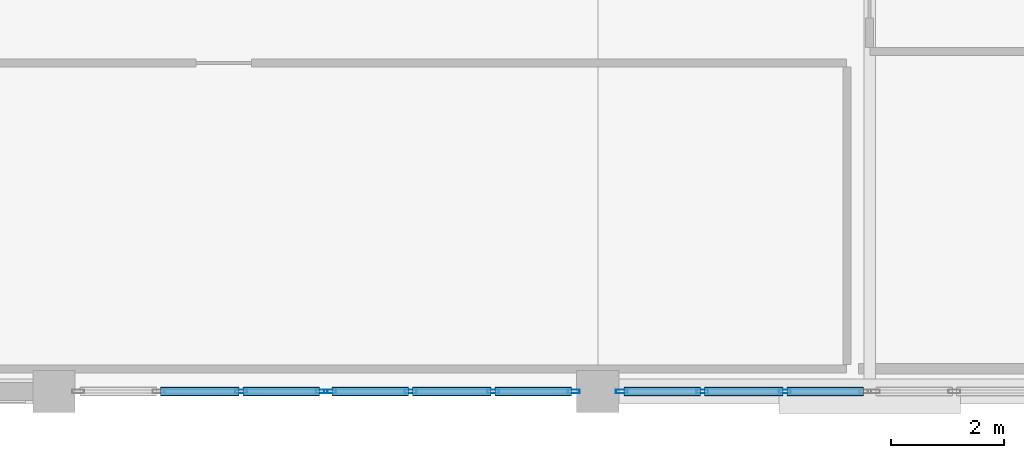
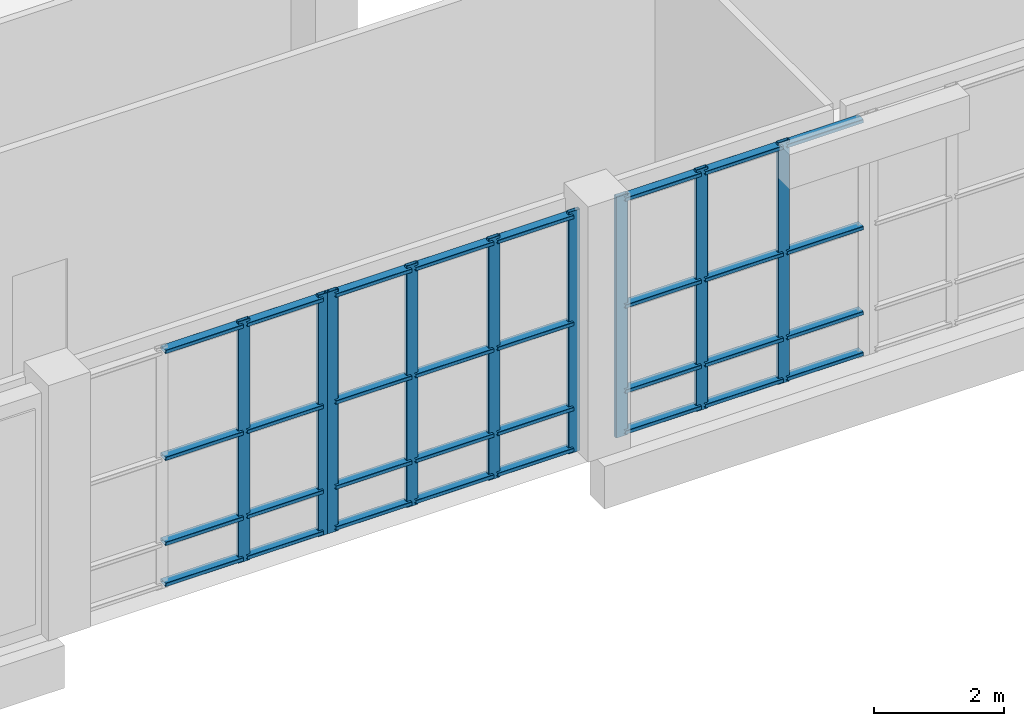
# One storey, part 21 of 106: 41 members, 3 elements without a shape of their own.
"""IFC4 building model written with IfcOpenShell, lengths in metres."""

from ifc_helpers import new_model, si_unit, direction, frame, origin, origin_2d, place, context, subcontext, project, spatial, hollow_rectangle, extrude, material, layer, layer_set, material_profile, profile_set, type_object, element, aggregate, save


model = new_model("IFC4")

# Units and contexts
model_context = context("Model", 3, precision=1e-05, world=origin(), true_north=direction((0.0, 1.0)))
body_context = subcontext(model_context, "Body", "Model", "MODEL_VIEW")
ifc_project = project(units=[si_unit("LENGTHUNIT", "METRE"), si_unit("AREAUNIT", "SQUARE_METRE"), si_unit("VOLUMEUNIT", "CUBIC_METRE"), si_unit("PLANEANGLEUNIT", "RADIAN"), si_unit("MASSUNIT", "GRAM", prefix="KILO")], contexts=[model_context])

# Site, building, storey
site_placement = place(None, origin())
site = spatial("IfcSite", under=ifc_project, at=site_placement, CompositionType="ELEMENT")
building_placement = place(site_placement, origin())
building = spatial("IfcBuilding", under=site, at=building_placement, Name="Kisaragi Civic Commons", CompositionType="ELEMENT")
storey_placement = place(building_placement, frame((0.0, 0.0, 4.800048828125)))
storey = spatial("IfcBuildingStorey", under=building, at=storey_placement, Name="L01", CompositionType="ELEMENT", Elevation=4.800048828125)

# Curtain wall, members
ifc_material = material(Name="Thermally broken anodized aluminium and low-E double glazing", Category="aluminium")
ifc_layer = layer(ifc_material, 0.2099609375, Name="Thermally broken anodized aluminium and low-E double glazing", Category="aluminium")
ifc_layer_set = layer_set([ifc_layer], Name="Thermally broken anodized aluminium and low-E double glazing")
curtain_wall_type = type_object("IfcCurtainWallType", Name="CW-02", PredefinedType="NOTDEFINED", material=ifc_layer_set)
curtain_wall_1_placement = place(storey_placement, origin())
curtain_wall_1 = element("IfcCurtainWall", 1, at=curtain_wall_1_placement, inside=storey, type_object=curtain_wall_type, Name="L01 curtain wall CW-02 CW-V3-L01-032", PredefinedType="NOTDEFINED")
ifc_material_profile_1 = material_profile(ifc_material, hollow_rectangle(XDim=0.070068359375, YDim=0.2099609375, WallThickness=0.0048828125, InnerFilletRadius=0.0048828125, OuterFilletRadius=0.010009765625, at=origin_2d()), Name="CWM-70x210x5", Category="aluminium")
ifc_profile_set_1 = profile_set([ifc_material_profile_1], Name="Thermally broken anodized aluminium and low-E double glazing")
member_type_1 = type_object("IfcMemberType", Name="CWM-03", PredefinedType="MULLION", material=ifc_profile_set_1)
member_1_placement = place(storey_placement, frame((126.9033203125, 0.0, 0.0), z_axis=(0.0, 0.0, 1.0), x_axis=(0.0, -1.0, 0.0)))
member_1 = element("IfcMember", 2, at=member_1_placement, type_object=member_type_1, Name="CW-02 mullion 2", PredefinedType="MULLION", context=body_context, shape_type="SweptSolid", body=[
    extrude(hollow_rectangle(XDim=0.070068359375, YDim=0.2099609375, WallThickness=0.0048828125, InnerFilletRadius=0.0048828125, OuterFilletRadius=0.010009765625, at=origin_2d()), origin(), (0.0, 0.0, 1.0), 4.5400390625),
])
member_2_placement = place(storey_placement, frame((125.44677734375, 0.0, 0.0), z_axis=(0.0, 0.0, 1.0), x_axis=(0.0, -1.0, 0.0)))
member_2 = element("IfcMember", 3, at=member_2_placement, type_object=member_type_1, Name="CW-02 mullion 3", PredefinedType="MULLION", context=body_context, shape_type="SweptSolid", body=[
    extrude(hollow_rectangle(XDim=0.070068359375, YDim=0.2099609375, WallThickness=0.0048828125, InnerFilletRadius=0.0048828125, OuterFilletRadius=0.010009765625, at=origin_2d()), origin(), (0.0, 0.0, 1.0), 4.5400390625),
])
member_3_placement = place(storey_placement, frame((124.02490234375, 0.0, 0.0), z_axis=(0.0, 0.0, 1.0), x_axis=(0.0, -1.0, 0.0)))
member_3 = element("IfcMember", 4, at=member_3_placement, type_object=member_type_1, Name="CW-02 mullion 4", PredefinedType="MULLION", context=body_context, shape_type="SweptSolid", body=[
    extrude(hollow_rectangle(XDim=0.070068359375, YDim=0.2099609375, WallThickness=0.0048828125, InnerFilletRadius=0.0048828125, OuterFilletRadius=0.010009765625, at=origin_2d()), origin(), (0.0, 0.0, 1.0), 4.5400390625),
])

curtain_wall_2_placement = place(storey_placement, origin())
curtain_wall_2 = element("IfcCurtainWall", 5, at=curtain_wall_2_placement, inside=storey, type_object=curtain_wall_type, Name="L01 curtain wall CW-02 CW-V3-L01-033", PredefinedType="NOTDEFINED")
member_4_placement = place(storey_placement, frame((123.175048828125, 0.0, 0.0), z_axis=(0.0, 0.0, 1.0), x_axis=(0.0, -1.0, 0.0)))
member_4 = element("IfcMember", 6, at=member_4_placement, type_object=member_type_1, Name="CW-02 mullion 1", PredefinedType="MULLION", context=body_context, shape_type="SweptSolid", body=[
    extrude(hollow_rectangle(XDim=0.070068359375, YDim=0.2099609375, WallThickness=0.0048828125, InnerFilletRadius=0.0048828125, OuterFilletRadius=0.010009765625, at=origin_2d()), origin(), (0.0, 0.0, 1.0), 4.5400390625),
])
member_5_placement = place(storey_placement, frame((121.75341796875, 0.0, 0.0), z_axis=(0.0, 0.0, 1.0), x_axis=(0.0, -1.0, 0.0)))
member_5 = element("IfcMember", 7, at=member_5_placement, type_object=member_type_1, Name="CW-02 mullion 2", PredefinedType="MULLION", context=body_context, shape_type="SweptSolid", body=[
    extrude(hollow_rectangle(XDim=0.070068359375, YDim=0.2099609375, WallThickness=0.0048828125, InnerFilletRadius=0.0048828125, OuterFilletRadius=0.010009765625, at=origin_2d()), origin(), (0.0, 0.0, 1.0), 4.5400390625),
])
member_6_placement = place(storey_placement, frame((120.296630859375, 0.0, 0.0), z_axis=(0.0, 0.0, 1.0), x_axis=(0.0, -1.0, 0.0)))
member_6 = element("IfcMember", 8, at=member_6_placement, type_object=member_type_1, Name="CW-02 mullion 3", PredefinedType="MULLION", context=body_context, shape_type="SweptSolid", body=[
    extrude(hollow_rectangle(XDim=0.070068359375, YDim=0.2099609375, WallThickness=0.0048828125, InnerFilletRadius=0.0048828125, OuterFilletRadius=0.010009765625, at=origin_2d()), origin(), (0.0, 0.0, 1.0), 4.5400390625),
])
member_7_placement = place(storey_placement, frame((118.875, 0.0, 0.0), z_axis=(0.0, 0.0, 1.0), x_axis=(0.0, -1.0, 0.0)))
member_7 = element("IfcMember", 9, at=member_7_placement, type_object=member_type_1, Name="CW-02 mullion 4", PredefinedType="MULLION", context=body_context, shape_type="SweptSolid", body=[
    extrude(hollow_rectangle(XDim=0.070068359375, YDim=0.2099609375, WallThickness=0.0048828125, InnerFilletRadius=0.0048828125, OuterFilletRadius=0.010009765625, at=origin_2d()), origin(), (0.0, 0.0, 1.0), 4.5400390625),
])

curtain_wall_3_placement = place(storey_placement, origin())
curtain_wall_3 = element("IfcCurtainWall", 10, at=curtain_wall_3_placement, inside=storey, type_object=curtain_wall_type, Name="L01 curtain wall CW-02 CW-V3-L01-034", PredefinedType="NOTDEFINED")
member_8_placement = place(storey_placement, frame((118.72509765625, 0.0, 0.0), z_axis=(0.0, 0.0, 1.0), x_axis=(0.0, -1.0, 0.0)))
member_8 = element("IfcMember", 11, at=member_8_placement, type_object=member_type_1, Name="CW-02 mullion 1", PredefinedType="MULLION", context=body_context, shape_type="SweptSolid", body=[
    extrude(hollow_rectangle(XDim=0.070068359375, YDim=0.2099609375, WallThickness=0.0048828125, InnerFilletRadius=0.0048828125, OuterFilletRadius=0.010009765625, at=origin_2d()), origin(), (0.0, 0.0, 1.0), 4.5400390625),
])
member_9_placement = place(storey_placement, frame((117.30322265625, 0.0, 0.0), z_axis=(0.0, 0.0, 1.0), x_axis=(0.0, -1.0, 0.0)))
member_9 = element("IfcMember", 12, at=member_9_placement, type_object=member_type_1, Name="CW-02 mullion 2", PredefinedType="MULLION", context=body_context, shape_type="SweptSolid", body=[
    extrude(hollow_rectangle(XDim=0.070068359375, YDim=0.2099609375, WallThickness=0.0048828125, InnerFilletRadius=0.0048828125, OuterFilletRadius=0.010009765625, at=origin_2d()), origin(), (0.0, 0.0, 1.0), 4.5400390625),
])

# Member
ifc_material_profile_2 = material_profile(ifc_material, hollow_rectangle(XDim=0.159912109375, YDim=0.070068359375, WallThickness=0.0048828125, InnerFilletRadius=0.0048828125, OuterFilletRadius=0.010009765625, at=origin_2d()), Name="CWT-70x160x5", Category="aluminium")
ifc_profile_set_2 = profile_set([ifc_material_profile_2], Name="Thermally broken anodized aluminium and low-E double glazing")
member_type_2 = type_object("IfcMemberType", Name="CWT-03", PredefinedType="USERDEFINED", material=ifc_profile_set_2)
member_10_placement = place(storey_placement, frame((128.2900390625, 0.0, 0.079833984375), z_axis=(-1.0, 0.0, 0.0), x_axis=(0.0, -1.0, 0.0)))
member_10 = element("IfcMember", 13, at=member_10_placement, type_object=member_type_2, Name="CW-02 transom 1.1", ObjectType="TRANSOM", PredefinedType="USERDEFINED", context=body_context, shape_type="SweptSolid", body=[
    extrude(hollow_rectangle(XDim=0.159912109375, YDim=0.070068359375, WallThickness=0.0048828125, InnerFilletRadius=0.0048828125, OuterFilletRadius=0.010009765625, at=origin_2d()), origin(), (0.0, 0.0, 1.0), 1.351806640625),
])

member_11_placement = place(storey_placement, frame((128.2900390625, 0.0, 0.849853515625), z_axis=(-1.0, 0.0, 0.0), x_axis=(0.0, -1.0, 0.0)))
member_11 = element("IfcMember", 14, at=member_11_placement, type_object=member_type_2, Name="CW-02 transom 1.2", ObjectType="TRANSOM", PredefinedType="USERDEFINED", context=body_context, shape_type="SweptSolid", body=[
    extrude(hollow_rectangle(XDim=0.159912109375, YDim=0.070068359375, WallThickness=0.0048828125, InnerFilletRadius=0.0048828125, OuterFilletRadius=0.010009765625, at=origin_2d()), origin(), (0.0, 0.0, 1.0), 1.351806640625),
])

member_12_placement = place(storey_placement, frame((128.2900390625, 0.0, 2.449951171875), z_axis=(-1.0, 0.0, 0.0), x_axis=(0.0, -1.0, 0.0)))
member_12 = element("IfcMember", 15, at=member_12_placement, type_object=member_type_2, Name="CW-02 transom 1.3", ObjectType="TRANSOM", PredefinedType="USERDEFINED", context=body_context, shape_type="SweptSolid", body=[
    extrude(hollow_rectangle(XDim=0.159912109375, YDim=0.070068359375, WallThickness=0.0048828125, InnerFilletRadius=0.0048828125, OuterFilletRadius=0.010009765625, at=origin_2d()), origin(), (0.0, 0.0, 1.0), 1.351806640625),
])

member_13_placement = place(storey_placement, frame((128.2900390625, 0.0, 4.4599609375), z_axis=(-1.0, 0.0, 0.0), x_axis=(0.0, -1.0, 0.0)))
member_13 = element("IfcMember", 16, at=member_13_placement, type_object=member_type_2, Name="CW-02 transom 1.4", ObjectType="TRANSOM", PredefinedType="USERDEFINED", context=body_context, shape_type="SweptSolid", body=[
    extrude(hollow_rectangle(XDim=0.159912109375, YDim=0.070068359375, WallThickness=0.0048828125, InnerFilletRadius=0.0048828125, OuterFilletRadius=0.010009765625, at=origin_2d()), origin(), (0.0, 0.0, 1.0), 1.351806640625),
])

member_14_placement = place(storey_placement, frame((126.868408203125, 0.0, 0.079833984375), z_axis=(-1.0, 0.0, 0.0), x_axis=(0.0, -1.0, 0.0)))
member_14 = element("IfcMember", 17, at=member_14_placement, type_object=member_type_2, Name="CW-02 transom 2.1", ObjectType="TRANSOM", PredefinedType="USERDEFINED", context=body_context, shape_type="SweptSolid", body=[
    extrude(hollow_rectangle(XDim=0.159912109375, YDim=0.070068359375, WallThickness=0.0048828125, InnerFilletRadius=0.0048828125, OuterFilletRadius=0.010009765625, at=origin_2d()), origin(), (0.0, 0.0, 1.0), 1.38671875),
])

member_15_placement = place(storey_placement, frame((126.868408203125, 0.0, 0.849853515625), z_axis=(-1.0, 0.0, 0.0), x_axis=(0.0, -1.0, 0.0)))
member_15 = element("IfcMember", 18, at=member_15_placement, type_object=member_type_2, Name="CW-02 transom 2.2", ObjectType="TRANSOM", PredefinedType="USERDEFINED", context=body_context, shape_type="SweptSolid", body=[
    extrude(hollow_rectangle(XDim=0.159912109375, YDim=0.070068359375, WallThickness=0.0048828125, InnerFilletRadius=0.0048828125, OuterFilletRadius=0.010009765625, at=origin_2d()), origin(), (0.0, 0.0, 1.0), 1.38671875),
])

member_16_placement = place(storey_placement, frame((126.868408203125, 0.0, 2.449951171875), z_axis=(-1.0, 0.0, 0.0), x_axis=(0.0, -1.0, 0.0)))
member_16 = element("IfcMember", 19, at=member_16_placement, type_object=member_type_2, Name="CW-02 transom 2.3", ObjectType="TRANSOM", PredefinedType="USERDEFINED", context=body_context, shape_type="SweptSolid", body=[
    extrude(hollow_rectangle(XDim=0.159912109375, YDim=0.070068359375, WallThickness=0.0048828125, InnerFilletRadius=0.0048828125, OuterFilletRadius=0.010009765625, at=origin_2d()), origin(), (0.0, 0.0, 1.0), 1.38671875),
])

member_17_placement = place(storey_placement, frame((126.868408203125, 0.0, 4.4599609375), z_axis=(-1.0, 0.0, 0.0), x_axis=(0.0, -1.0, 0.0)))
member_17 = element("IfcMember", 20, at=member_17_placement, type_object=member_type_2, Name="CW-02 transom 2.4", ObjectType="TRANSOM", PredefinedType="USERDEFINED", context=body_context, shape_type="SweptSolid", body=[
    extrude(hollow_rectangle(XDim=0.159912109375, YDim=0.070068359375, WallThickness=0.0048828125, InnerFilletRadius=0.0048828125, OuterFilletRadius=0.010009765625, at=origin_2d()), origin(), (0.0, 0.0, 1.0), 1.38671875),
])

member_18_placement = place(storey_placement, frame((125.41162109375, 0.0, 0.079833984375), z_axis=(-1.0, 0.0, 0.0), x_axis=(0.0, -1.0, 0.0)))
member_18 = element("IfcMember", 21, at=member_18_placement, type_object=member_type_2, Name="CW-02 transom 3.1", ObjectType="TRANSOM", PredefinedType="USERDEFINED", context=body_context, shape_type="SweptSolid", body=[
    extrude(hollow_rectangle(XDim=0.159912109375, YDim=0.070068359375, WallThickness=0.0048828125, InnerFilletRadius=0.0048828125, OuterFilletRadius=0.010009765625, at=origin_2d()), origin(), (0.0, 0.0, 1.0), 1.3515625),
])

member_19_placement = place(storey_placement, frame((125.41162109375, 0.0, 0.849853515625), z_axis=(-1.0, 0.0, 0.0), x_axis=(0.0, -1.0, 0.0)))
member_19 = element("IfcMember", 22, at=member_19_placement, type_object=member_type_2, Name="CW-02 transom 3.2", ObjectType="TRANSOM", PredefinedType="USERDEFINED", context=body_context, shape_type="SweptSolid", body=[
    extrude(hollow_rectangle(XDim=0.159912109375, YDim=0.070068359375, WallThickness=0.0048828125, InnerFilletRadius=0.0048828125, OuterFilletRadius=0.010009765625, at=origin_2d()), origin(), (0.0, 0.0, 1.0), 1.3515625),
])

member_20_placement = place(storey_placement, frame((125.41162109375, 0.0, 2.449951171875), z_axis=(-1.0, 0.0, 0.0), x_axis=(0.0, -1.0, 0.0)))
member_20 = element("IfcMember", 23, at=member_20_placement, type_object=member_type_2, Name="CW-02 transom 3.3", ObjectType="TRANSOM", PredefinedType="USERDEFINED", context=body_context, shape_type="SweptSolid", body=[
    extrude(hollow_rectangle(XDim=0.159912109375, YDim=0.070068359375, WallThickness=0.0048828125, InnerFilletRadius=0.0048828125, OuterFilletRadius=0.010009765625, at=origin_2d()), origin(), (0.0, 0.0, 1.0), 1.3515625),
])

member_21_placement = place(storey_placement, frame((125.41162109375, 0.0, 4.4599609375), z_axis=(-1.0, 0.0, 0.0), x_axis=(0.0, -1.0, 0.0)))
member_21 = element("IfcMember", 24, at=member_21_placement, type_object=member_type_2, Name="CW-02 transom 3.4", ObjectType="TRANSOM", PredefinedType="USERDEFINED", context=body_context, shape_type="SweptSolid", body=[
    extrude(hollow_rectangle(XDim=0.159912109375, YDim=0.070068359375, WallThickness=0.0048828125, InnerFilletRadius=0.0048828125, OuterFilletRadius=0.010009765625, at=origin_2d()), origin(), (0.0, 0.0, 1.0), 1.3515625),
])

aggregate(curtain_wall_1, [member_1, member_2, member_3, member_10, member_11, member_12, member_13, member_14, member_15, member_16, member_17, member_18, member_19, member_20, member_21])

member_22_placement = place(storey_placement, frame((123.139892578125, 0.0, 0.079833984375), z_axis=(-1.0, 0.0, 0.0), x_axis=(0.0, -1.0, 0.0)))
member_22 = element("IfcMember", 25, at=member_22_placement, type_object=member_type_2, Name="CW-02 transom 1.1", ObjectType="TRANSOM", PredefinedType="USERDEFINED", context=body_context, shape_type="SweptSolid", body=[
    extrude(hollow_rectangle(XDim=0.159912109375, YDim=0.070068359375, WallThickness=0.0048828125, InnerFilletRadius=0.0048828125, OuterFilletRadius=0.010009765625, at=origin_2d()), origin(), (0.0, 0.0, 1.0), 1.3515625),
])

member_23_placement = place(storey_placement, frame((123.139892578125, 0.0, 0.849853515625), z_axis=(-1.0, 0.0, 0.0), x_axis=(0.0, -1.0, 0.0)))
member_23 = element("IfcMember", 26, at=member_23_placement, type_object=member_type_2, Name="CW-02 transom 1.2", ObjectType="TRANSOM", PredefinedType="USERDEFINED", context=body_context, shape_type="SweptSolid", body=[
    extrude(hollow_rectangle(XDim=0.159912109375, YDim=0.070068359375, WallThickness=0.0048828125, InnerFilletRadius=0.0048828125, OuterFilletRadius=0.010009765625, at=origin_2d()), origin(), (0.0, 0.0, 1.0), 1.3515625),
])

member_24_placement = place(storey_placement, frame((123.139892578125, 0.0, 2.449951171875), z_axis=(-1.0, 0.0, 0.0), x_axis=(0.0, -1.0, 0.0)))
member_24 = element("IfcMember", 27, at=member_24_placement, type_object=member_type_2, Name="CW-02 transom 1.3", ObjectType="TRANSOM", PredefinedType="USERDEFINED", context=body_context, shape_type="SweptSolid", body=[
    extrude(hollow_rectangle(XDim=0.159912109375, YDim=0.070068359375, WallThickness=0.0048828125, InnerFilletRadius=0.0048828125, OuterFilletRadius=0.010009765625, at=origin_2d()), origin(), (0.0, 0.0, 1.0), 1.3515625),
])

member_25_placement = place(storey_placement, frame((123.139892578125, 0.0, 4.4599609375), z_axis=(-1.0, 0.0, 0.0), x_axis=(0.0, -1.0, 0.0)))
member_25 = element("IfcMember", 28, at=member_25_placement, type_object=member_type_2, Name="CW-02 transom 1.4", ObjectType="TRANSOM", PredefinedType="USERDEFINED", context=body_context, shape_type="SweptSolid", body=[
    extrude(hollow_rectangle(XDim=0.159912109375, YDim=0.070068359375, WallThickness=0.0048828125, InnerFilletRadius=0.0048828125, OuterFilletRadius=0.010009765625, at=origin_2d()), origin(), (0.0, 0.0, 1.0), 1.3515625),
])

member_26_placement = place(storey_placement, frame((121.71826171875, 0.0, 0.079833984375), z_axis=(-1.0, 0.0, 0.0), x_axis=(0.0, -1.0, 0.0)))
member_26 = element("IfcMember", 29, at=member_26_placement, type_object=member_type_2, Name="CW-02 transom 2.1", ObjectType="TRANSOM", PredefinedType="USERDEFINED", context=body_context, shape_type="SweptSolid", body=[
    extrude(hollow_rectangle(XDim=0.159912109375, YDim=0.070068359375, WallThickness=0.0048828125, InnerFilletRadius=0.0048828125, OuterFilletRadius=0.010009765625, at=origin_2d()), origin(), (0.0, 0.0, 1.0), 1.386474609375),
])

member_27_placement = place(storey_placement, frame((121.71826171875, 0.0, 0.849853515625), z_axis=(-1.0, 0.0, 0.0), x_axis=(0.0, -1.0, 0.0)))
member_27 = element("IfcMember", 30, at=member_27_placement, type_object=member_type_2, Name="CW-02 transom 2.2", ObjectType="TRANSOM", PredefinedType="USERDEFINED", context=body_context, shape_type="SweptSolid", body=[
    extrude(hollow_rectangle(XDim=0.159912109375, YDim=0.070068359375, WallThickness=0.0048828125, InnerFilletRadius=0.0048828125, OuterFilletRadius=0.010009765625, at=origin_2d()), origin(), (0.0, 0.0, 1.0), 1.386474609375),
])

member_28_placement = place(storey_placement, frame((121.71826171875, 0.0, 2.449951171875), z_axis=(-1.0, 0.0, 0.0), x_axis=(0.0, -1.0, 0.0)))
member_28 = element("IfcMember", 31, at=member_28_placement, type_object=member_type_2, Name="CW-02 transom 2.3", ObjectType="TRANSOM", PredefinedType="USERDEFINED", context=body_context, shape_type="SweptSolid", body=[
    extrude(hollow_rectangle(XDim=0.159912109375, YDim=0.070068359375, WallThickness=0.0048828125, InnerFilletRadius=0.0048828125, OuterFilletRadius=0.010009765625, at=origin_2d()), origin(), (0.0, 0.0, 1.0), 1.386474609375),
])

member_29_placement = place(storey_placement, frame((121.71826171875, 0.0, 4.4599609375), z_axis=(-1.0, 0.0, 0.0), x_axis=(0.0, -1.0, 0.0)))
member_29 = element("IfcMember", 32, at=member_29_placement, type_object=member_type_2, Name="CW-02 transom 2.4", ObjectType="TRANSOM", PredefinedType="USERDEFINED", context=body_context, shape_type="SweptSolid", body=[
    extrude(hollow_rectangle(XDim=0.159912109375, YDim=0.070068359375, WallThickness=0.0048828125, InnerFilletRadius=0.0048828125, OuterFilletRadius=0.010009765625, at=origin_2d()), origin(), (0.0, 0.0, 1.0), 1.386474609375),
])

member_30_placement = place(storey_placement, frame((120.26171875, 0.0, 0.079833984375), z_axis=(-1.0, 0.0, 0.0), x_axis=(0.0, -1.0, 0.0)))
member_30 = element("IfcMember", 33, at=member_30_placement, type_object=member_type_2, Name="CW-02 transom 3.1", ObjectType="TRANSOM", PredefinedType="USERDEFINED", context=body_context, shape_type="SweptSolid", body=[
    extrude(hollow_rectangle(XDim=0.159912109375, YDim=0.070068359375, WallThickness=0.0048828125, InnerFilletRadius=0.0048828125, OuterFilletRadius=0.010009765625, at=origin_2d()), origin(), (0.0, 0.0, 1.0), 1.351806640625),
])

member_31_placement = place(storey_placement, frame((120.26171875, 0.0, 0.849853515625), z_axis=(-1.0, 0.0, 0.0), x_axis=(0.0, -1.0, 0.0)))
member_31 = element("IfcMember", 34, at=member_31_placement, type_object=member_type_2, Name="CW-02 transom 3.2", ObjectType="TRANSOM", PredefinedType="USERDEFINED", context=body_context, shape_type="SweptSolid", body=[
    extrude(hollow_rectangle(XDim=0.159912109375, YDim=0.070068359375, WallThickness=0.0048828125, InnerFilletRadius=0.0048828125, OuterFilletRadius=0.010009765625, at=origin_2d()), origin(), (0.0, 0.0, 1.0), 1.351806640625),
])

member_32_placement = place(storey_placement, frame((120.26171875, 0.0, 2.449951171875), z_axis=(-1.0, 0.0, 0.0), x_axis=(0.0, -1.0, 0.0)))
member_32 = element("IfcMember", 35, at=member_32_placement, type_object=member_type_2, Name="CW-02 transom 3.3", ObjectType="TRANSOM", PredefinedType="USERDEFINED", context=body_context, shape_type="SweptSolid", body=[
    extrude(hollow_rectangle(XDim=0.159912109375, YDim=0.070068359375, WallThickness=0.0048828125, InnerFilletRadius=0.0048828125, OuterFilletRadius=0.010009765625, at=origin_2d()), origin(), (0.0, 0.0, 1.0), 1.351806640625),
])

member_33_placement = place(storey_placement, frame((120.26171875, 0.0, 4.4599609375), z_axis=(-1.0, 0.0, 0.0), x_axis=(0.0, -1.0, 0.0)))
member_33 = element("IfcMember", 36, at=member_33_placement, type_object=member_type_2, Name="CW-02 transom 3.4", ObjectType="TRANSOM", PredefinedType="USERDEFINED", context=body_context, shape_type="SweptSolid", body=[
    extrude(hollow_rectangle(XDim=0.159912109375, YDim=0.070068359375, WallThickness=0.0048828125, InnerFilletRadius=0.0048828125, OuterFilletRadius=0.010009765625, at=origin_2d()), origin(), (0.0, 0.0, 1.0), 1.351806640625),
])

aggregate(curtain_wall_2, [member_4, member_5, member_6, member_7, member_22, member_23, member_24, member_25, member_26, member_27, member_28, member_29, member_30, member_31, member_32, member_33])

member_34_placement = place(storey_placement, frame((118.68994140625, 0.0, 0.079833984375), z_axis=(-1.0, 0.0, 0.0), x_axis=(0.0, -1.0, 0.0)))
member_34 = element("IfcMember", 37, at=member_34_placement, type_object=member_type_2, Name="CW-02 transom 1.1", ObjectType="TRANSOM", PredefinedType="USERDEFINED", context=body_context, shape_type="SweptSolid", body=[
    extrude(hollow_rectangle(XDim=0.159912109375, YDim=0.070068359375, WallThickness=0.0048828125, InnerFilletRadius=0.0048828125, OuterFilletRadius=0.010009765625, at=origin_2d()), origin(), (0.0, 0.0, 1.0), 1.3515625),
])

member_35_placement = place(storey_placement, frame((118.68994140625, 0.0, 0.849853515625), z_axis=(-1.0, 0.0, 0.0), x_axis=(0.0, -1.0, 0.0)))
member_35 = element("IfcMember", 38, at=member_35_placement, type_object=member_type_2, Name="CW-02 transom 1.2", ObjectType="TRANSOM", PredefinedType="USERDEFINED", context=body_context, shape_type="SweptSolid", body=[
    extrude(hollow_rectangle(XDim=0.159912109375, YDim=0.070068359375, WallThickness=0.0048828125, InnerFilletRadius=0.0048828125, OuterFilletRadius=0.010009765625, at=origin_2d()), origin(), (0.0, 0.0, 1.0), 1.3515625),
])

member_36_placement = place(storey_placement, frame((118.68994140625, 0.0, 2.449951171875), z_axis=(-1.0, 0.0, 0.0), x_axis=(0.0, -1.0, 0.0)))
member_36 = element("IfcMember", 39, at=member_36_placement, type_object=member_type_2, Name="CW-02 transom 1.3", ObjectType="TRANSOM", PredefinedType="USERDEFINED", context=body_context, shape_type="SweptSolid", body=[
    extrude(hollow_rectangle(XDim=0.159912109375, YDim=0.070068359375, WallThickness=0.0048828125, InnerFilletRadius=0.0048828125, OuterFilletRadius=0.010009765625, at=origin_2d()), origin(), (0.0, 0.0, 1.0), 1.3515625),
])

member_37_placement = place(storey_placement, frame((118.68994140625, 0.0, 4.4599609375), z_axis=(-1.0, 0.0, 0.0), x_axis=(0.0, -1.0, 0.0)))
member_37 = element("IfcMember", 40, at=member_37_placement, type_object=member_type_2, Name="CW-02 transom 1.4", ObjectType="TRANSOM", PredefinedType="USERDEFINED", context=body_context, shape_type="SweptSolid", body=[
    extrude(hollow_rectangle(XDim=0.159912109375, YDim=0.070068359375, WallThickness=0.0048828125, InnerFilletRadius=0.0048828125, OuterFilletRadius=0.010009765625, at=origin_2d()), origin(), (0.0, 0.0, 1.0), 1.3515625),
])

member_38_placement = place(storey_placement, frame((117.268310546875, 0.0, 0.079833984375), z_axis=(-1.0, 0.0, 0.0), x_axis=(0.0, -1.0, 0.0)))
member_38 = element("IfcMember", 41, at=member_38_placement, type_object=member_type_2, Name="CW-02 transom 2.1", ObjectType="TRANSOM", PredefinedType="USERDEFINED", context=body_context, shape_type="SweptSolid", body=[
    extrude(hollow_rectangle(XDim=0.159912109375, YDim=0.070068359375, WallThickness=0.0048828125, InnerFilletRadius=0.0048828125, OuterFilletRadius=0.010009765625, at=origin_2d()), origin(), (0.0, 0.0, 1.0), 1.38671875),
])

member_39_placement = place(storey_placement, frame((117.268310546875, 0.0, 0.849853515625), z_axis=(-1.0, 0.0, 0.0), x_axis=(0.0, -1.0, 0.0)))
member_39 = element("IfcMember", 42, at=member_39_placement, type_object=member_type_2, Name="CW-02 transom 2.2", ObjectType="TRANSOM", PredefinedType="USERDEFINED", context=body_context, shape_type="SweptSolid", body=[
    extrude(hollow_rectangle(XDim=0.159912109375, YDim=0.070068359375, WallThickness=0.0048828125, InnerFilletRadius=0.0048828125, OuterFilletRadius=0.010009765625, at=origin_2d()), origin(), (0.0, 0.0, 1.0), 1.38671875),
])

member_40_placement = place(storey_placement, frame((117.268310546875, 0.0, 2.449951171875), z_axis=(-1.0, 0.0, 0.0), x_axis=(0.0, -1.0, 0.0)))
member_40 = element("IfcMember", 43, at=member_40_placement, type_object=member_type_2, Name="CW-02 transom 2.3", ObjectType="TRANSOM", PredefinedType="USERDEFINED", context=body_context, shape_type="SweptSolid", body=[
    extrude(hollow_rectangle(XDim=0.159912109375, YDim=0.070068359375, WallThickness=0.0048828125, InnerFilletRadius=0.0048828125, OuterFilletRadius=0.010009765625, at=origin_2d()), origin(), (0.0, 0.0, 1.0), 1.38671875),
])

member_41_placement = place(storey_placement, frame((117.268310546875, 0.0, 4.4599609375), z_axis=(-1.0, 0.0, 0.0), x_axis=(0.0, -1.0, 0.0)))
member_41 = element("IfcMember", 44, at=member_41_placement, type_object=member_type_2, Name="CW-02 transom 2.4", ObjectType="TRANSOM", PredefinedType="USERDEFINED", context=body_context, shape_type="SweptSolid", body=[
    extrude(hollow_rectangle(XDim=0.159912109375, YDim=0.070068359375, WallThickness=0.0048828125, InnerFilletRadius=0.0048828125, OuterFilletRadius=0.010009765625, at=origin_2d()), origin(), (0.0, 0.0, 1.0), 1.38671875),
])

aggregate(curtain_wall_3, [member_8, member_9, member_34, member_35, member_36, member_37, member_38, member_39, member_40, member_41])

save(model, "model.ifc")
